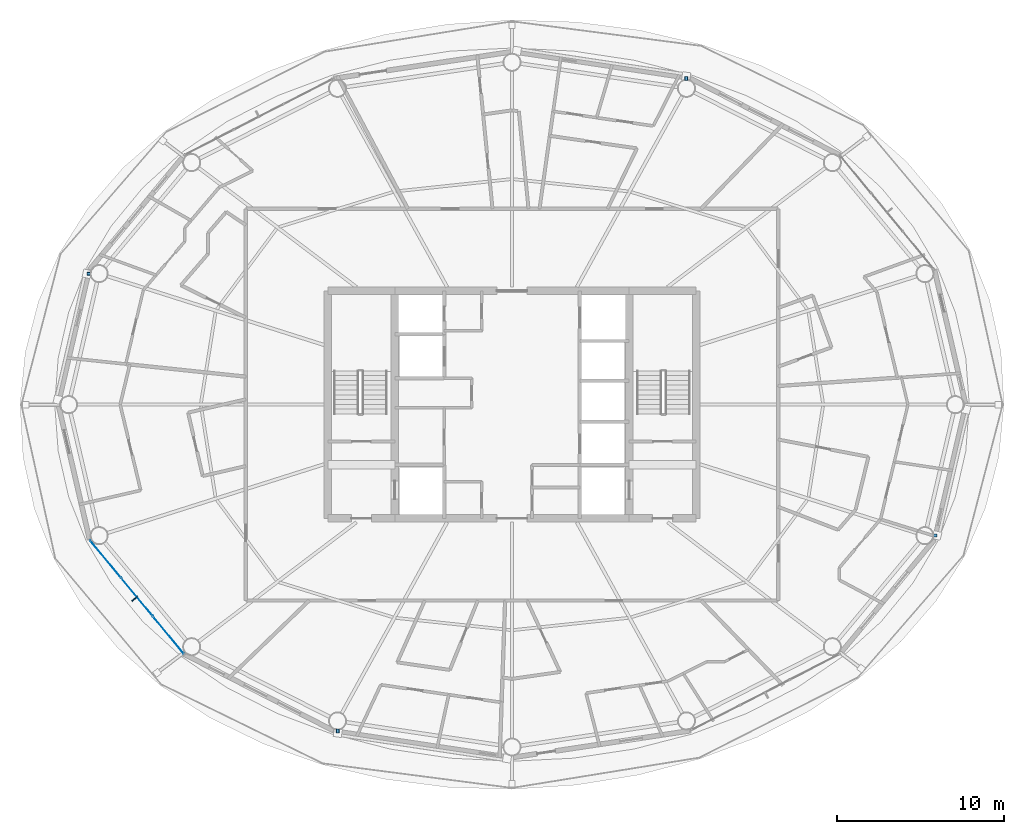
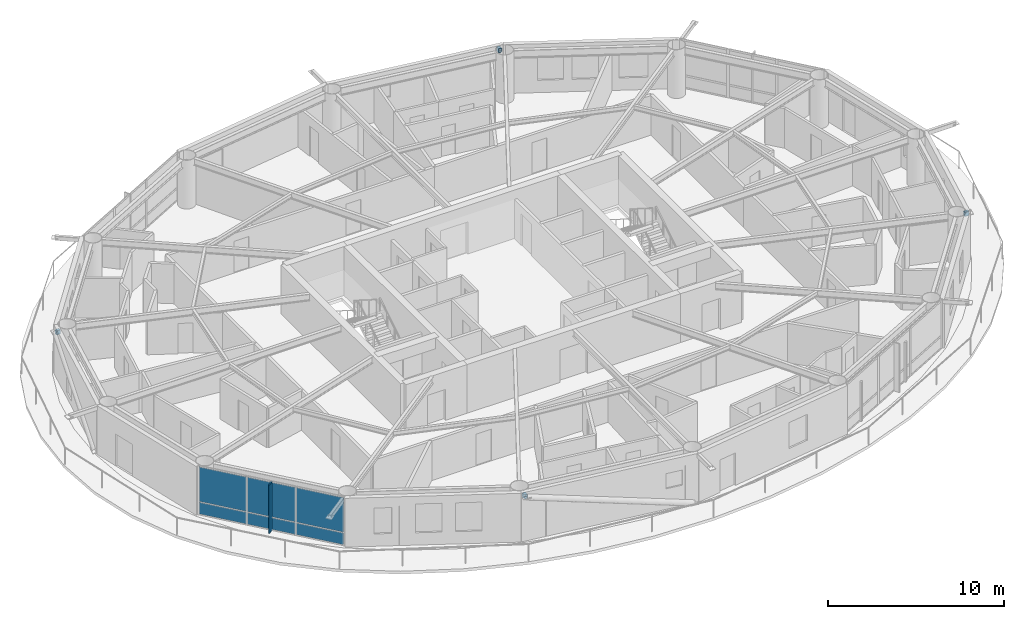
# One storey, part 16 of 27: 7 plates, 4 members, 1 element without a shape of its own.
"""IFC4 building model written with IfcOpenShell, lengths in metres."""

from ifc_helpers import new_model, si_unit, direction, frame, origin, origin_2d, place, context, subcontext, project, spatial, rectangle, hollow_rectangle, extrude, material, layer, layer_set, material_profile, profile_set, type_object, element, aggregate, save


model = new_model("IFC4")

# Units and contexts
model_context = context("Model", 3, precision=1e-05, world=origin(), true_north=direction((0.0, 1.0)))
body_context = subcontext(model_context, "Body", "Model", "MODEL_VIEW")
ifc_project = project(units=[si_unit("LENGTHUNIT", "METRE"), si_unit("AREAUNIT", "SQUARE_METRE"), si_unit("VOLUMEUNIT", "CUBIC_METRE"), si_unit("PLANEANGLEUNIT", "RADIAN"), si_unit("MASSUNIT", "GRAM", prefix="KILO")], contexts=[model_context])

# Site, building, storey
site_placement = place(None, origin())
site = spatial("IfcSite", under=ifc_project, at=site_placement, CompositionType="ELEMENT")
building_placement = place(site_placement, origin())
building = spatial("IfcBuilding", under=site, at=building_placement, Name="Sarneth Arch Tower", CompositionType="ELEMENT")
storey_placement = place(building_placement, frame((0.0, 0.0, 157.800048828125)))
storey = spatial("IfcBuildingStorey", under=building, at=storey_placement, Name="L39", CompositionType="ELEMENT", Elevation=157.800048828125)

# Members
ifc_material_1 = material(Name="Steel S355", Category="steel")
ifc_material_profile = material_profile(ifc_material_1, hollow_rectangle(XDim=0.199951171875, YDim=0.300048828125, WallThickness=0.012451171875, InnerFilletRadius=0.018798828125, OuterFilletRadius=0.03125, at=origin_2d()), Name="RHS300x200x12.5")
ifc_profile_set = profile_set([ifc_material_profile], Name="Steel S355")
member_type = type_object("IfcMemberType", Name="MEM-CANT-STRUT", PredefinedType="STRUT", material=ifc_profile_set)
member_1_placement = place(storey_placement, frame((58.410400390625, 61.36572265625, 3.050537109375), z_axis=(-0.024720435295, 0.999694403345, 0.0), x_axis=(-0.999694403345, -0.024720435295, 0.0)))
element("IfcMember", 1, at=member_1_placement, inside=storey, type_object=member_type, Name="L39 Exoskeleton brace node strut 04B", PredefinedType="STRUT", context=body_context, shape_type="SweptSolid", body=[
    extrude(hollow_rectangle(XDim=0.199951171875, YDim=0.300048828125, WallThickness=0.012451171875, InnerFilletRadius=0.018798828125, OuterFilletRadius=0.03125, at=origin_2d()), origin(), (0.0, 0.0, 1.0), 0.246826171875),
])
member_2_placement = place(storey_placement, frame((22.865478515625, 49.8173828125, 3.050537109375), z_axis=(-0.999852532481, -0.01717303968, 0.0), x_axis=(0.01717303968, -0.999852532481, 0.0)))
element("IfcMember", 2, at=member_2_placement, inside=storey, type_object=member_type, Name="L39 Exoskeleton brace node strut 08B", PredefinedType="STRUT", context=body_context, shape_type="SweptSolid", body=[
    extrude(hollow_rectangle(XDim=0.199951171875, YDim=0.300048828125, WallThickness=0.012451171875, InnerFilletRadius=0.018798828125, OuterFilletRadius=0.03125, at=origin_2d()), origin(), (0.0, 0.0, 1.0), 0.255859375),
])
member_3_placement = place(storey_placement, frame((37.589599609375, 22.63427734375, 3.050537109375), z_axis=(0.024720435295, -0.999694403345, 0.0), x_axis=(0.999694403345, 0.024720435295, 0.0)))
element("IfcMember", 3, at=member_3_placement, inside=storey, type_object=member_type, Name="L39 Exoskeleton brace node strut 12B", PredefinedType="STRUT", context=body_context, shape_type="SweptSolid", body=[
    extrude(hollow_rectangle(XDim=0.199951171875, YDim=0.300048828125, WallThickness=0.012451171875, InnerFilletRadius=0.018798828125, OuterFilletRadius=0.03125, at=origin_2d()), origin(), (0.0, 0.0, 1.0), 0.246826171875),
])
member_4_placement = place(storey_placement, frame((73.134521484375, 34.1826171875, 3.050537109375), z_axis=(0.999852532481, 0.01717303968, 0.0), x_axis=(-0.01717303968, 0.999852532481, 0.0)))
element("IfcMember", 4, at=member_4_placement, inside=storey, type_object=member_type, Name="L39 Exoskeleton brace node strut 16B", PredefinedType="STRUT", context=body_context, shape_type="SweptSolid", body=[
    extrude(hollow_rectangle(XDim=0.199951171875, YDim=0.300048828125, WallThickness=0.012451171875, InnerFilletRadius=0.018798828125, OuterFilletRadius=0.03125, at=origin_2d()), origin(), (0.0, 0.0, 1.0), 0.255859375),
])

# Curtain wall, plates
ifc_material_2 = material(Name="Anodised aluminium Type AA25 and solar-control low-e laminated IGU", Category="aluminium")
ifc_layer_1 = layer(ifc_material_2, 0.169921875)
ifc_layer_set_1 = layer_set([ifc_layer_1], Name="Anodised aluminium Type AA25 and solar-control low-e laminated IGU")
curtain_wall_type = type_object("IfcCurtainWallType", Name="CW-RES-MID", PredefinedType="NOTDEFINED", material=ifc_layer_set_1)
curtain_wall_placement = place(storey_placement, origin())
curtain_wall = element("IfcCurtainWall", 5, at=curtain_wall_placement, inside=storey, type_object=curtain_wall_type, Name="L39 Unitised curtain wall facet 10", PredefinedType="NOTDEFINED")
ifc_material_3 = material(Name="Solar-control low-e laminated IGU", Category="glass")
ifc_layer_2 = layer(ifc_material_3, 0.028076171875)
ifc_layer_set_2 = layer_set([ifc_layer_2], Name="Solar-control low-e laminated IGU")
plate_type_1 = type_object("IfcPlateType", Name="CW-PANEL", PredefinedType="CURTAIN_PANEL", material=ifc_layer_set_2)
plate_1_placement = place(storey_placement, frame((23.719970703125, 32.78173828125, 0.059814453125), z_axis=(0.0, 0.0, 1.0), x_axis=(0.637330298558, -0.770590741276, 0.0)))
plate_1 = element("IfcPlate", 6, at=plate_1_placement, type_object=plate_type_1, Name="Curtain wall glazed vision pane CW-L39-F10/P00-00", PredefinedType="CURTAIN_PANEL", context=body_context, shape_type="SweptSolid", body=[
    extrude(rectangle(XDim=2.8681640625, YDim=0.028076171875, at=origin_2d()), origin(), (0.0, 0.0, 1.0), 0.81005859375),
])
plate_2_placement = place(storey_placement, frame((23.719970703125, 32.78173828125, 0.93017578125), z_axis=(0.0, 0.0, 1.0), x_axis=(0.637330298558, -0.770590741276, 0.0)))
plate_2 = element("IfcPlate", 7, at=plate_2_placement, type_object=plate_type_1, Name="Curtain wall glazed vision pane CW-L39-F10/P00-01", PredefinedType="CURTAIN_PANEL", context=body_context, shape_type="SweptSolid", body=[
    extrude(rectangle(XDim=2.8681640625, YDim=0.028076171875, at=origin_2d()), origin(), (0.0, 0.0, 1.0), 2.389892578125),
])
plate_3_placement = place(storey_placement, frame((25.595703125, 30.513671875, 0.059814453125), z_axis=(0.0, 0.0, 1.0), x_axis=(0.637330298558, -0.770590741276, 0.0)))
plate_3 = element("IfcPlate", 8, at=plate_3_placement, type_object=plate_type_1, Name="Curtain wall glazed vision pane CW-L39-F10/P01-00", PredefinedType="CURTAIN_PANEL", context=body_context, shape_type="SweptSolid", body=[
    extrude(rectangle(XDim=2.898193359375, YDim=0.028076171875, at=origin_2d()), origin(), (0.0, 0.0, 1.0), 0.81005859375),
])
plate_4_placement = place(storey_placement, frame((25.595703125, 30.513671875, 0.93017578125), z_axis=(0.0, 0.0, 1.0), x_axis=(0.637330298558, -0.770590741276, 0.0)))
plate_4 = element("IfcPlate", 9, at=plate_4_placement, type_object=plate_type_1, Name="Curtain wall glazed vision pane CW-L39-F10/P01-01", PredefinedType="CURTAIN_PANEL", context=body_context, shape_type="SweptSolid", body=[
    extrude(rectangle(XDim=2.898193359375, YDim=0.028076171875, at=origin_2d()), origin(), (0.0, 0.0, 1.0), 2.389892578125),
])
plate_5_placement = place(storey_placement, frame((27.4716796875, 28.24560546875, 0.059814453125), z_axis=(0.0, 0.0, 1.0), x_axis=(0.637330298558, -0.770590741276, 0.0)))
plate_5 = element("IfcPlate", 10, at=plate_5_placement, type_object=plate_type_1, Name="Curtain wall glazed vision pane CW-L39-F10/P02-00", PredefinedType="CURTAIN_PANEL", context=body_context, shape_type="SweptSolid", body=[
    extrude(rectangle(XDim=2.8681640625, YDim=0.028076171875, at=origin_2d()), origin(), (0.0, 0.0, 1.0), 0.81005859375),
])
plate_6_placement = place(storey_placement, frame((27.4716796875, 28.24560546875, 0.93017578125), z_axis=(0.0, 0.0, 1.0), x_axis=(0.637330298558, -0.770590741276, 0.0)))
plate_6 = element("IfcPlate", 11, at=plate_6_placement, type_object=plate_type_1, Name="Curtain wall glazed vision pane CW-L39-F10/P02-01", PredefinedType="CURTAIN_PANEL", context=body_context, shape_type="SweptSolid", body=[
    extrude(rectangle(XDim=2.8681640625, YDim=0.028076171875, at=origin_2d()), origin(), (0.0, 0.0, 1.0), 2.389892578125),
])
aggregate(curtain_wall, [plate_1, plate_2, plate_3, plate_4, plate_5, plate_6])

# Plate
ifc_material_4 = material(Name="Extruded glazed terracotta baguette fin on Aluminium 6063-T6 carrier", Category="masonry")
ifc_layer_3 = layer(ifc_material_4, 0.080078125)
ifc_layer_set_3 = layer_set([ifc_layer_3], Name="Extruded glazed terracotta baguette fin on Aluminium 6063-T6 carrier")
plate_type_2 = type_object("IfcPlateType", Name="SHADE-TERRA-FIN", PredefinedType="SHEET", material=ifc_layer_set_3)
plate_7_placement = place(storey_placement, frame((25.46484375, 30.4052734375, 0.009765625), z_axis=(0.0, 0.0, 1.0), x_axis=(-0.770624482513, -0.637289500111, 0.0)))
element("IfcPlate", 12, at=plate_7_placement, inside=storey, type_object=plate_type_2, Name="L39 Terracotta vertical shading fin 10", PredefinedType="SHEET", context=body_context, shape_type="SweptSolid", body=[
    extrude(rectangle(XDim=0.419921875, YDim=0.080078125, at=origin_2d()), origin(), (0.0, 0.0, 1.0), 3.360107421875),
])

save(model, "model.ifc")
